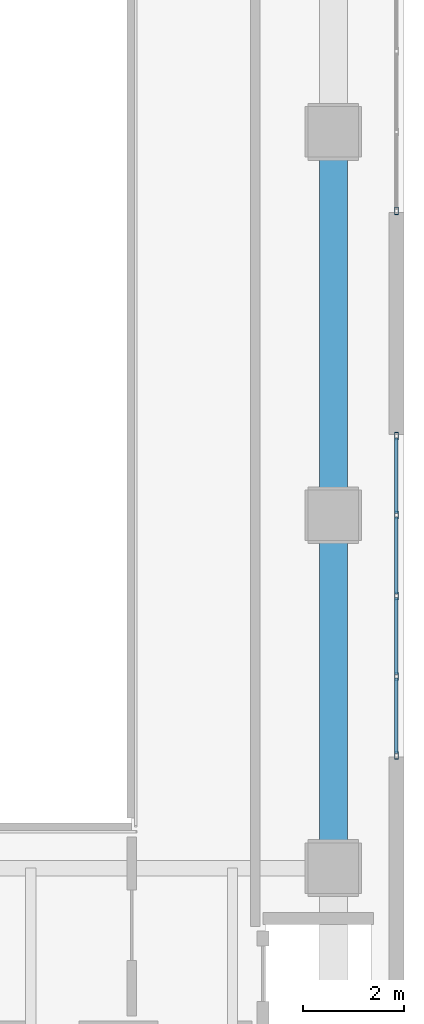
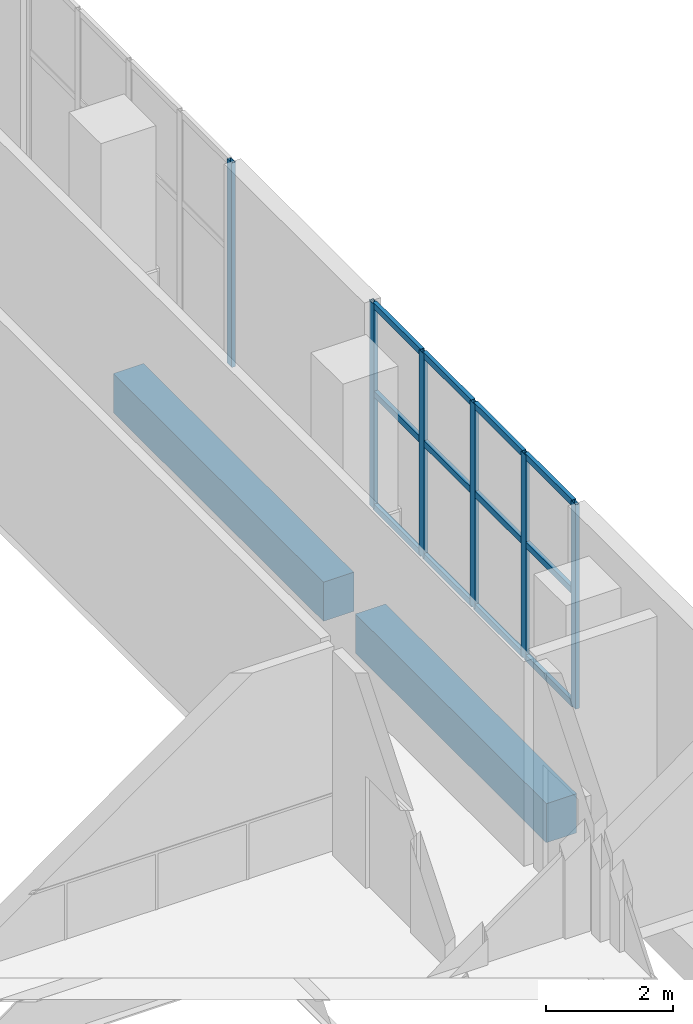
# One storey, part 10 of 24: 18 members, 2 beams, 2 elements without a shape of their own.
"""IFC4 building model written with IfcOpenShell, lengths in metres."""

from ifc_helpers import new_model, si_unit, direction, frame, origin, origin_2d, place, context, subcontext, project, spatial, rectangle, hollow_rectangle, extrude, material, layer, layer_set, material_profile, profile_set, type_object, element, aggregate, save


model = new_model("IFC4")

# Units and contexts
model_context = context("Model", 3, precision=1e-05, world=origin(), true_north=direction((0.0, 1.0)))
body_context = subcontext(model_context, "Body", "Model", "MODEL_VIEW")
ifc_project = project(units=[si_unit("LENGTHUNIT", "METRE"), si_unit("AREAUNIT", "SQUARE_METRE"), si_unit("VOLUMEUNIT", "CUBIC_METRE"), si_unit("PLANEANGLEUNIT", "RADIAN"), si_unit("MASSUNIT", "GRAM", prefix="KILO")], contexts=[model_context])

# Site, building, storey
site_placement = place(None, origin())
site = spatial("IfcSite", under=ifc_project, at=site_placement, CompositionType="ELEMENT")
building_placement = place(site_placement, origin())
building = spatial("IfcBuilding", under=site, at=building_placement, Name="Solanera Arch Residences", CompositionType="ELEMENT")
storey_placement = place(building_placement, frame((0.0, 0.0, 5.199951171875)))
storey = spatial("IfcBuildingStorey", under=building, at=storey_placement, Name="L01", CompositionType="ELEMENT", Elevation=5.199951171875)

# Curtain wall, member
ifc_material_1 = material(Name="Anodised Aluminium Alloy 6063-T6", Category="aluminium")
ifc_layer = layer(ifc_material_1, 0.14990234375)
ifc_layer_set = layer_set([ifc_layer], Name="Anodised Aluminium Alloy 6063-T6")
curtain_wall_type = type_object("IfcCurtainWallType", Name="CW-2 Paseo Shopfront Glazing", PredefinedType="USERDEFINED", material=ifc_layer_set)
curtain_wall_1_placement = place(storey_placement, origin())
curtain_wall_1 = element("IfcCurtainWall", 1, at=curtain_wall_1_placement, inside=storey, type_object=curtain_wall_type, Name="L01 Sports Hall East Promenade Glazing 1", ObjectType="CURTAIN_WALL", PredefinedType="USERDEFINED")
ifc_material_2 = material(Name="Anodised Aluminium Alloy 6063-T6", Category="aluminium")
ifc_material_profile_1 = material_profile(ifc_material_2, hollow_rectangle(XDim=0.070068359375, YDim=0.14990234375, WallThickness=0.00390625, at=origin_2d()))
ifc_profile_set_1 = profile_set([ifc_material_profile_1], Name="Anodised Aluminium Alloy 6063-T6")
member_type_1 = type_object("IfcMemberType", Name="Curtain Wall Mullion ALU-MUL-70X150", PredefinedType="MULLION", material=ifc_profile_set_1)
member_1_placement = place(storey_placement, frame((83.050048828125, 32.8349609375, 0.0), z_axis=(0.0, 0.0, 1.0), x_axis=(1.0, 0.0, 0.0)))
member_1 = element("IfcMember", 2, at=member_1_placement, type_object=member_type_1, Name="CW-2 mullion 5", PredefinedType="MULLION", context=body_context, shape_type="SweptSolid", body=[
    extrude(hollow_rectangle(XDim=0.070068359375, YDim=0.14990234375, WallThickness=0.00390625, at=origin_2d()), origin(), (0.0, 0.0, 1.0), 3.920166015625),
])
aggregate(curtain_wall_1, [member_1])

# Curtain wall, members
curtain_wall_2_placement = place(storey_placement, origin())
curtain_wall_2 = element("IfcCurtainWall", 3, at=curtain_wall_2_placement, inside=storey, type_object=curtain_wall_type, Name="L01 Sports Hall East Promenade Glazing 2", ObjectType="CURTAIN_WALL", PredefinedType="USERDEFINED")
member_2_placement = place(storey_placement, frame((83.050048828125, 28.364990234375, 0.0), z_axis=(0.0, 0.0, 1.0), x_axis=(1.0, 0.0, 0.0)))
member_2 = element("IfcMember", 4, at=member_2_placement, type_object=member_type_1, Name="CW-2 mullion 1", PredefinedType="MULLION", context=body_context, shape_type="SweptSolid", body=[
    extrude(hollow_rectangle(XDim=0.070068359375, YDim=0.14990234375, WallThickness=0.00390625, at=origin_2d()), origin(), (0.0, 0.0, 1.0), 3.920166015625),
])
member_3_placement = place(storey_placement, frame((83.050048828125, 26.800048828125, 0.0), z_axis=(0.0, 0.0, 1.0), x_axis=(1.0, 0.0, 0.0)))
member_3 = element("IfcMember", 5, at=member_3_placement, type_object=member_type_1, Name="CW-2 mullion 2", PredefinedType="MULLION", context=body_context, shape_type="SweptSolid", body=[
    extrude(hollow_rectangle(XDim=0.070068359375, YDim=0.14990234375, WallThickness=0.00390625, at=origin_2d()), origin(), (0.0, 0.0, 1.0), 3.920166015625),
])
member_4_placement = place(storey_placement, frame((83.050048828125, 25.199951171875, 0.0), z_axis=(0.0, 0.0, 1.0), x_axis=(1.0, 0.0, 0.0)))
member_4 = element("IfcMember", 6, at=member_4_placement, type_object=member_type_1, Name="CW-2 mullion 3", PredefinedType="MULLION", context=body_context, shape_type="SweptSolid", body=[
    extrude(hollow_rectangle(XDim=0.070068359375, YDim=0.14990234375, WallThickness=0.00390625, at=origin_2d()), origin(), (0.0, 0.0, 1.0), 3.920166015625),
])
member_5_placement = place(storey_placement, frame((83.050048828125, 23.60009765625, 0.0), z_axis=(0.0, 0.0, 1.0), x_axis=(1.0, 0.0, 0.0)))
member_5 = element("IfcMember", 7, at=member_5_placement, type_object=member_type_1, Name="CW-2 mullion 4", PredefinedType="MULLION", context=body_context, shape_type="SweptSolid", body=[
    extrude(hollow_rectangle(XDim=0.070068359375, YDim=0.14990234375, WallThickness=0.00390625, at=origin_2d()), origin(), (0.0, 0.0, 1.0), 3.920166015625),
])
member_6_placement = place(storey_placement, frame((83.050048828125, 22.034912109375, 0.0), z_axis=(0.0, 0.0, 1.0), x_axis=(1.0, 0.0, 0.0)))
member_6 = element("IfcMember", 8, at=member_6_placement, type_object=member_type_1, Name="CW-2 mullion 5", PredefinedType="MULLION", context=body_context, shape_type="SweptSolid", body=[
    extrude(hollow_rectangle(XDim=0.070068359375, YDim=0.14990234375, WallThickness=0.00390625, at=origin_2d()), origin(), (0.0, 0.0, 1.0), 3.920166015625),
])
ifc_material_3 = material(Name="Anodised Aluminium Alloy 6063-T6", Category="aluminium")
ifc_material_profile_2 = material_profile(ifc_material_3, hollow_rectangle(XDim=0.070068359375, YDim=0.1201171875, WallThickness=0.00390625, at=origin_2d()))
ifc_profile_set_2 = profile_set([ifc_material_profile_2], Name="Anodised Aluminium Alloy 6063-T6")
member_type_2 = type_object("IfcMemberType", Name="Curtain Wall Transom ALU-TRN-70X120", PredefinedType="USERDEFINED", material=ifc_profile_set_2)
member_7_placement = place(storey_placement, frame((83.050048828125, 28.330078125, 0.03515625), z_axis=(0.0, -1.0, 0.0), x_axis=(1.0, 0.0, 0.0)))
member_7 = element("IfcMember", 9, at=member_7_placement, type_object=member_type_2, Name="CW-2 transom 1.1", ObjectType="TRANSOM", PredefinedType="USERDEFINED", context=body_context, shape_type="SweptSolid", body=[
    extrude(hollow_rectangle(XDim=0.070068359375, YDim=0.1201171875, WallThickness=0.00390625, at=origin_2d()), origin(), (0.0, 0.0, 1.0), 1.4951171875),
])
member_8_placement = place(storey_placement, frame((83.050048828125, 28.330078125, 2.199951171875), z_axis=(0.0, -1.0, 0.0), x_axis=(1.0, 0.0, 0.0)))
member_8 = element("IfcMember", 10, at=member_8_placement, type_object=member_type_2, Name="CW-2 transom 1.2", ObjectType="TRANSOM", PredefinedType="USERDEFINED", context=body_context, shape_type="SweptSolid", body=[
    extrude(hollow_rectangle(XDim=0.070068359375, YDim=0.1201171875, WallThickness=0.00390625, at=origin_2d()), origin(), (0.0, 0.0, 1.0), 1.4951171875),
])
member_9_placement = place(storey_placement, frame((83.050048828125, 28.330078125, 3.885009765625), z_axis=(0.0, -1.0, 0.0), x_axis=(1.0, 0.0, 0.0)))
member_9 = element("IfcMember", 11, at=member_9_placement, type_object=member_type_2, Name="CW-2 transom 1.3", ObjectType="TRANSOM", PredefinedType="USERDEFINED", context=body_context, shape_type="SweptSolid", body=[
    extrude(hollow_rectangle(XDim=0.070068359375, YDim=0.1201171875, WallThickness=0.00390625, at=origin_2d()), origin(), (0.0, 0.0, 1.0), 1.4951171875),
])
member_10_placement = place(storey_placement, frame((83.050048828125, 26.764892578125, 0.03515625), z_axis=(0.0, -1.0, 0.0), x_axis=(1.0, 0.0, 0.0)))
member_10 = element("IfcMember", 12, at=member_10_placement, type_object=member_type_2, Name="CW-2 transom 2.1", ObjectType="TRANSOM", PredefinedType="USERDEFINED", context=body_context, shape_type="SweptSolid", body=[
    extrude(hollow_rectangle(XDim=0.070068359375, YDim=0.1201171875, WallThickness=0.00390625, at=origin_2d()), origin(), (0.0, 0.0, 1.0), 1.52978515625),
])
member_11_placement = place(storey_placement, frame((83.050048828125, 26.764892578125, 2.199951171875), z_axis=(0.0, -1.0, 0.0), x_axis=(1.0, 0.0, 0.0)))
member_11 = element("IfcMember", 13, at=member_11_placement, type_object=member_type_2, Name="CW-2 transom 2.2", ObjectType="TRANSOM", PredefinedType="USERDEFINED", context=body_context, shape_type="SweptSolid", body=[
    extrude(hollow_rectangle(XDim=0.070068359375, YDim=0.1201171875, WallThickness=0.00390625, at=origin_2d()), origin(), (0.0, 0.0, 1.0), 1.52978515625),
])
member_12_placement = place(storey_placement, frame((83.050048828125, 26.764892578125, 3.885009765625), z_axis=(0.0, -1.0, 0.0), x_axis=(1.0, 0.0, 0.0)))
member_12 = element("IfcMember", 14, at=member_12_placement, type_object=member_type_2, Name="CW-2 transom 2.3", ObjectType="TRANSOM", PredefinedType="USERDEFINED", context=body_context, shape_type="SweptSolid", body=[
    extrude(hollow_rectangle(XDim=0.070068359375, YDim=0.1201171875, WallThickness=0.00390625, at=origin_2d()), origin(), (0.0, 0.0, 1.0), 1.52978515625),
])
member_13_placement = place(storey_placement, frame((83.050048828125, 25.1650390625, 0.03515625), z_axis=(0.0, -1.0, 0.0), x_axis=(1.0, 0.0, 0.0)))
member_13 = element("IfcMember", 15, at=member_13_placement, type_object=member_type_2, Name="CW-2 transom 3.1", ObjectType="TRANSOM", PredefinedType="USERDEFINED", context=body_context, shape_type="SweptSolid", body=[
    extrude(hollow_rectangle(XDim=0.070068359375, YDim=0.1201171875, WallThickness=0.00390625, at=origin_2d()), origin(), (0.0, 0.0, 1.0), 1.530029296875),
])
member_14_placement = place(storey_placement, frame((83.050048828125, 25.1650390625, 2.199951171875), z_axis=(0.0, -1.0, 0.0), x_axis=(1.0, 0.0, 0.0)))
member_14 = element("IfcMember", 16, at=member_14_placement, type_object=member_type_2, Name="CW-2 transom 3.2", ObjectType="TRANSOM", PredefinedType="USERDEFINED", context=body_context, shape_type="SweptSolid", body=[
    extrude(hollow_rectangle(XDim=0.070068359375, YDim=0.1201171875, WallThickness=0.00390625, at=origin_2d()), origin(), (0.0, 0.0, 1.0), 1.530029296875),
])
member_15_placement = place(storey_placement, frame((83.050048828125, 25.1650390625, 3.885009765625), z_axis=(0.0, -1.0, 0.0), x_axis=(1.0, 0.0, 0.0)))
member_15 = element("IfcMember", 17, at=member_15_placement, type_object=member_type_2, Name="CW-2 transom 3.3", ObjectType="TRANSOM", PredefinedType="USERDEFINED", context=body_context, shape_type="SweptSolid", body=[
    extrude(hollow_rectangle(XDim=0.070068359375, YDim=0.1201171875, WallThickness=0.00390625, at=origin_2d()), origin(), (0.0, 0.0, 1.0), 1.530029296875),
])
member_16_placement = place(storey_placement, frame((83.050048828125, 23.56494140625, 0.03515625), z_axis=(0.0, -1.0, 0.0), x_axis=(1.0, 0.0, 0.0)))
member_16 = element("IfcMember", 18, at=member_16_placement, type_object=member_type_2, Name="CW-2 transom 4.1", ObjectType="TRANSOM", PredefinedType="USERDEFINED", context=body_context, shape_type="SweptSolid", body=[
    extrude(hollow_rectangle(XDim=0.070068359375, YDim=0.1201171875, WallThickness=0.00390625, at=origin_2d()), origin(), (0.0, 0.0, 1.0), 1.494873046875),
])
member_17_placement = place(storey_placement, frame((83.050048828125, 23.56494140625, 2.199951171875), z_axis=(0.0, -1.0, 0.0), x_axis=(1.0, 0.0, 0.0)))
member_17 = element("IfcMember", 19, at=member_17_placement, type_object=member_type_2, Name="CW-2 transom 4.2", ObjectType="TRANSOM", PredefinedType="USERDEFINED", context=body_context, shape_type="SweptSolid", body=[
    extrude(hollow_rectangle(XDim=0.070068359375, YDim=0.1201171875, WallThickness=0.00390625, at=origin_2d()), origin(), (0.0, 0.0, 1.0), 1.494873046875),
])
member_18_placement = place(storey_placement, frame((83.050048828125, 23.56494140625, 3.885009765625), z_axis=(0.0, -1.0, 0.0), x_axis=(1.0, 0.0, 0.0)))
member_18 = element("IfcMember", 20, at=member_18_placement, type_object=member_type_2, Name="CW-2 transom 4.3", ObjectType="TRANSOM", PredefinedType="USERDEFINED", context=body_context, shape_type="SweptSolid", body=[
    extrude(hollow_rectangle(XDim=0.070068359375, YDim=0.1201171875, WallThickness=0.00390625, at=origin_2d()), origin(), (0.0, 0.0, 1.0), 1.494873046875),
])
aggregate(curtain_wall_2, [member_2, member_3, member_4, member_5, member_6, member_7, member_8, member_9, member_10, member_11, member_12, member_13, member_14, member_15, member_16, member_17, member_18])

# Beams
ifc_material_4 = material(Name="Concrete C40/50 (f'c = 45 MPa)", Category="concrete")
ifc_material_profile_3 = material_profile(ifc_material_4, rectangle(XDim=0.550048828125, YDim=0.75, at=origin_2d()))
ifc_profile_set_3 = profile_set([ifc_material_profile_3], Name="Concrete C40/50 (f'c = 45 MPa)")
beam_type = type_object("IfcBeamType", Name="Primary Beam RC-BM-550X750", PredefinedType="BEAM", material=ifc_profile_set_3)
beam_1_placement = place(storey_placement, frame((81.800048828125, 20.300048828125, -0.655029296875), z_axis=(0.0, 1.0, 0.0), x_axis=(-1.0, 0.0, 0.0)))
element("IfcBeam", 21, at=beam_1_placement, inside=storey, type_object=beam_type, Name="BM-L01-HE-2", PredefinedType="BEAM", context=body_context, shape_type="SweptSolid", body=[
    extrude(rectangle(XDim=0.550048828125, YDim=0.75, at=origin_2d()), origin(), (0.0, 0.0, 1.0), 6.0),
])
beam_2_placement = place(storey_placement, frame((81.800048828125, 27.300048828125, -0.655029296875), z_axis=(0.0, 1.0, 0.0), x_axis=(-1.0, 0.0, 0.0)))
element("IfcBeam", 22, at=beam_2_placement, inside=storey, type_object=beam_type, Name="BM-L01-HE-3", PredefinedType="BEAM", context=body_context, shape_type="SweptSolid", body=[
    extrude(rectangle(XDim=0.550048828125, YDim=0.75, at=origin_2d()), origin(), (0.0, 0.0, 1.0), 6.599853515625),
])

save(model, "model.ifc")
